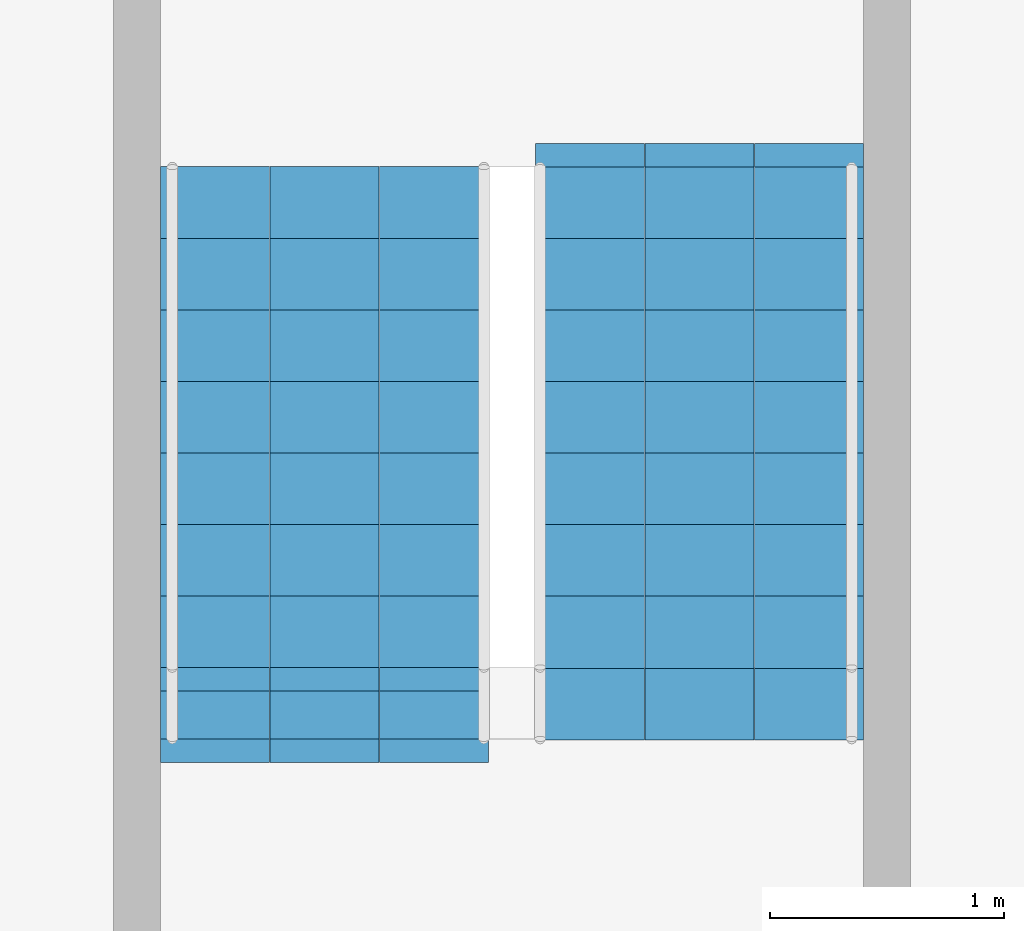
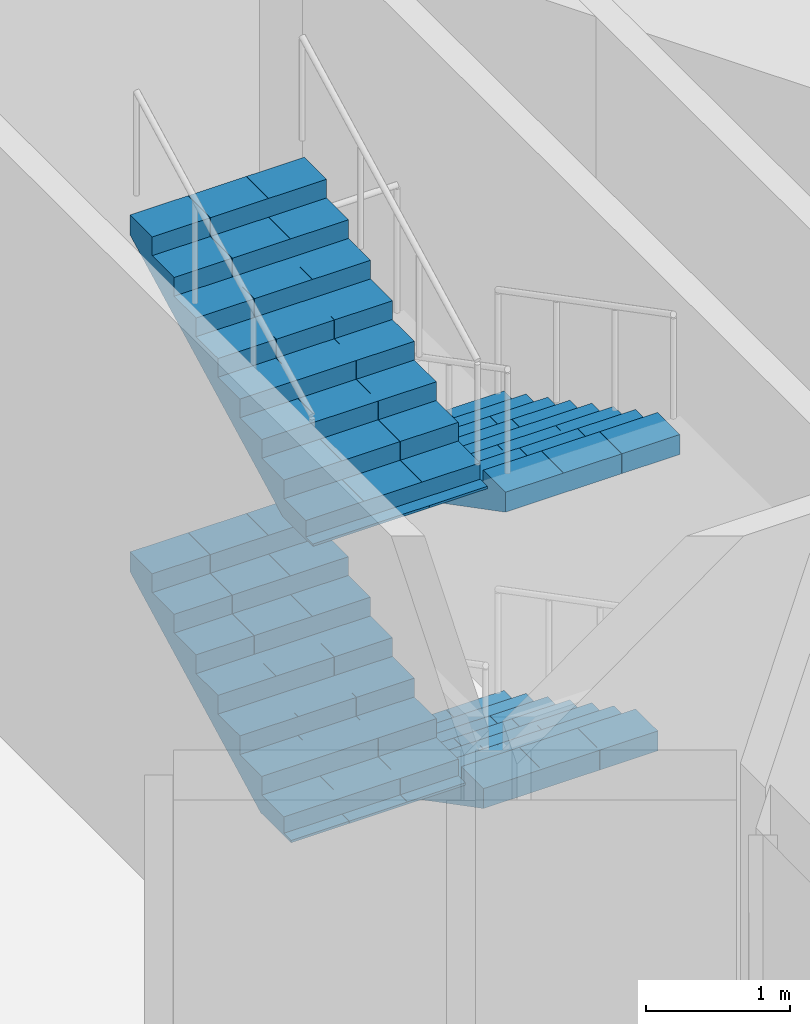
# One storey, part 29 of 32: 4 stair flights, 1 element without a shape of its own.
"""IFC4 building model written with IfcOpenShell, lengths in metres."""

from ifc_helpers import new_model, si_unit, direction, frame, origin, place, context, subcontext, project, spatial, polyline, outline, extrude, material, type_object, element, aggregate, save


model = new_model("IFC4")

# Units and contexts
model_context = context("Model", 3, precision=1e-05, world=origin(), true_north=direction((0.0, 1.0)))
body_context = subcontext(model_context, "Body", "Model", "MODEL_VIEW")
ifc_project = project(units=[si_unit("LENGTHUNIT", "METRE"), si_unit("AREAUNIT", "SQUARE_METRE"), si_unit("VOLUMEUNIT", "CUBIC_METRE"), si_unit("PLANEANGLEUNIT", "RADIAN"), si_unit("MASSUNIT", "GRAM", prefix="KILO")], contexts=[model_context])

# Site, building, storey
site_placement = place(None, origin())
site = spatial("IfcSite", under=ifc_project, at=site_placement, CompositionType="ELEMENT")
building_placement = place(site_placement, origin())
building = spatial("IfcBuilding", under=site, at=building_placement, Name="Triada Interchange Tower", CompositionType="ELEMENT")
storey_placement = place(building_placement, frame((0.0, 0.0, 14.5)))
storey = spatial("IfcBuildingStorey", under=building, at=storey_placement, Name="L02", CompositionType="ELEMENT", Elevation=14.5)

# Stair, stair flights
ifc_material = material(Name="Concrete C35/45", Category="concrete")
stair_type = type_object("IfcStairType", Name="HALF TURN STAIR 1400", PredefinedType="HALF_TURN_STAIR", material=ifc_material)
stair_placement = place(storey_placement, origin())
stair = element("IfcStair", 1, at=stair_placement, inside=storey, type_object=stair_type, Name="Exit stair S02-1", PredefinedType="HALF_TURN_STAIR")
stair_flight_type = type_object("IfcStairFlightType", Name="STRAIGHT STAIR FLIGHT 1400", PredefinedType="STRAIGHT", material=ifc_material)
stair_flight_1_placement = place(storey_placement, frame((0.800048828125, 11.60009765625, 0.0), z_axis=(0.0, 0.0, 1.0), x_axis=(0.0, -1.0, 0.0)))
stair_flight_1 = element("IfcStairFlight", 2, at=stair_flight_1_placement, type_object=stair_flight_type, Name="S02-1 flight 1", NumberOfRisers=8, NumberOfTreads=7, PredefinedType="STRAIGHT", RiserHeight=0.15882, TreadLength=0.305, context=body_context, shape_type="SweptSolid", body=[
    extrude(outline(polyline([(-0.10009765625, 0.0), (-0.10009765625, 0.02001953125), (0.0, 0.02001953125), (0.0, 0.158935546875), (0.304931640625, 0.158935546875), (0.304931640625, 0.317626953125), (0.610107421875, 0.317626953125), (0.610107421875, 0.4765625), (0.9150390625, 0.4765625), (0.9150390625, 0.63525390625), (1.219970703125, 0.63525390625), (1.219970703125, 0.794189453125), (1.52490234375, 0.794189453125), (1.52490234375, 0.952880859375), (1.830078125, 0.952880859375), (1.830078125, 1.11181640625), (2.135009765625, 1.11181640625), (2.138916015625, 1.11181640625), (2.138916015625, 1.2705078125), (2.138916015625, 0.942626953125), (0.324462890625, 0.0), (-0.10009765625, 0.0)])), frame((0.0, 0.699951171875, 0.0), z_axis=(0.0, -1.0, 0.0), x_axis=(1.0, 0.0, 0.0)), (0.0, 0.0, 1.0), 0.46533203125),
    extrude(outline(polyline([(-0.10009765625, 0.0), (-0.10009765625, 0.02001953125), (0.0, 0.02001953125), (0.0, 0.158935546875), (0.304931640625, 0.158935546875), (0.304931640625, 0.317626953125), (0.610107421875, 0.317626953125), (0.610107421875, 0.4765625), (0.9150390625, 0.4765625), (0.9150390625, 0.63525390625), (1.219970703125, 0.63525390625), (1.219970703125, 0.794189453125), (1.52490234375, 0.794189453125), (1.52490234375, 0.952880859375), (1.830078125, 0.952880859375), (1.830078125, 1.11181640625), (2.135009765625, 1.11181640625), (2.138916015625, 1.11181640625), (2.138916015625, 1.2705078125), (2.138916015625, 0.942626953125), (0.324462890625, 0.0), (-0.10009765625, 0.0)])), frame((0.0, 0.232666015625, 0.0), z_axis=(0.0, -1.0, 0.0), x_axis=(1.0, 0.0, 0.0)), (0.0, 0.0, 1.0), 0.46533203125),
    extrude(outline(polyline([(-0.10009765625, 0.0), (-0.10009765625, 0.02001953125), (0.0, 0.02001953125), (0.0, 0.158935546875), (0.304931640625, 0.158935546875), (0.304931640625, 0.317626953125), (0.610107421875, 0.317626953125), (0.610107421875, 0.4765625), (0.9150390625, 0.4765625), (0.9150390625, 0.63525390625), (1.219970703125, 0.63525390625), (1.219970703125, 0.794189453125), (1.52490234375, 0.794189453125), (1.52490234375, 0.952880859375), (1.830078125, 0.952880859375), (1.830078125, 1.11181640625), (2.135009765625, 1.11181640625), (2.138916015625, 1.11181640625), (2.138916015625, 1.2705078125), (2.138916015625, 0.942626953125), (0.324462890625, 0.0), (-0.10009765625, 0.0)])), frame((0.0, -0.234619140625, 0.0), z_axis=(0.0, -1.0, 0.0), x_axis=(1.0, 0.0, 0.0)), (0.0, 0.0, 1.0), 0.46533203125),
])
stair_flight_2_placement = place(storey_placement, frame((-0.800048828125, 9.465087890625, 1.2705078125), z_axis=(0.0, 0.0, 1.0), x_axis=(0.0, 1.0, 0.0)))
stair_flight_2 = element("IfcStairFlight", 3, at=stair_flight_2_placement, type_object=stair_flight_type, Name="S02-1 flight 2", NumberOfRisers=8, NumberOfTreads=7, PredefinedType="STRAIGHT", RiserHeight=0.15882, TreadLength=0.305, context=body_context, shape_type="SweptSolid", body=[
    extrude(outline(polyline([(-0.10009765625, 0.0), (-0.10009765625, 0.02001953125), (0.0, 0.02001953125), (0.0, 0.158935546875), (0.304931640625, 0.158935546875), (0.304931640625, 0.317626953125), (0.610107421875, 0.317626953125), (0.610107421875, 0.4765625), (0.9150390625, 0.4765625), (0.9150390625, 0.63525390625), (1.219970703125, 0.63525390625), (1.219970703125, 0.794189453125), (1.52490234375, 0.794189453125), (1.52490234375, 0.952880859375), (1.830078125, 0.952880859375), (1.830078125, 1.11181640625), (2.135009765625, 1.11181640625), (2.138916015625, 1.11181640625), (2.138916015625, 1.2705078125), (2.138916015625, 0.942626953125), (0.324462890625, 0.0), (-0.10009765625, 0.0)])), frame((0.0, 0.699951171875, 0.0), z_axis=(0.0, -1.0, 0.0), x_axis=(1.0, 0.0, 0.0)), (0.0, 0.0, 1.0), 0.46533203125),
    extrude(outline(polyline([(-0.10009765625, 0.0), (-0.10009765625, 0.02001953125), (0.0, 0.02001953125), (0.0, 0.158935546875), (0.304931640625, 0.158935546875), (0.304931640625, 0.317626953125), (0.610107421875, 0.317626953125), (0.610107421875, 0.4765625), (0.9150390625, 0.4765625), (0.9150390625, 0.63525390625), (1.219970703125, 0.63525390625), (1.219970703125, 0.794189453125), (1.52490234375, 0.794189453125), (1.52490234375, 0.952880859375), (1.830078125, 0.952880859375), (1.830078125, 1.11181640625), (2.135009765625, 1.11181640625), (2.138916015625, 1.11181640625), (2.138916015625, 1.2705078125), (2.138916015625, 0.942626953125), (0.324462890625, 0.0), (-0.10009765625, 0.0)])), frame((0.0, 0.232666015625, 0.0), z_axis=(0.0, -1.0, 0.0), x_axis=(1.0, 0.0, 0.0)), (0.0, 0.0, 1.0), 0.46533203125),
    extrude(outline(polyline([(-0.10009765625, 0.0), (-0.10009765625, 0.02001953125), (0.0, 0.02001953125), (0.0, 0.158935546875), (0.304931640625, 0.158935546875), (0.304931640625, 0.317626953125), (0.610107421875, 0.317626953125), (0.610107421875, 0.4765625), (0.9150390625, 0.4765625), (0.9150390625, 0.63525390625), (1.219970703125, 0.63525390625), (1.219970703125, 0.794189453125), (1.52490234375, 0.794189453125), (1.52490234375, 0.952880859375), (1.830078125, 0.952880859375), (1.830078125, 1.11181640625), (2.135009765625, 1.11181640625), (2.138916015625, 1.11181640625), (2.138916015625, 1.2705078125), (2.138916015625, 0.942626953125), (0.324462890625, 0.0), (-0.10009765625, 0.0)])), frame((0.0, -0.234619140625, 0.0), z_axis=(0.0, -1.0, 0.0), x_axis=(1.0, 0.0, 0.0)), (0.0, 0.0, 1.0), 0.46533203125),
])
stair_flight_3_placement = place(storey_placement, frame((0.800048828125, 11.60009765625, 2.541015625), z_axis=(0.0, 0.0, 1.0), x_axis=(0.0, -1.0, 0.0)))
stair_flight_3 = element("IfcStairFlight", 4, at=stair_flight_3_placement, type_object=stair_flight_type, Name="S02-1 flight 3", NumberOfRisers=9, NumberOfTreads=8, PredefinedType="STRAIGHT", RiserHeight=0.15882, TreadLength=0.305, context=body_context, shape_type="SweptSolid", body=[
    extrude(outline(polyline([(-0.10009765625, 0.0), (-0.10009765625, 0.02001953125), (0.0, 0.02001953125), (0.0, 0.158935546875), (0.304931640625, 0.158935546875), (0.304931640625, 0.317626953125), (0.610107421875, 0.317626953125), (0.610107421875, 0.4765625), (0.9150390625, 0.4765625), (0.9150390625, 0.63525390625), (1.219970703125, 0.63525390625), (1.219970703125, 0.794189453125), (1.52490234375, 0.794189453125), (1.52490234375, 0.952880859375), (1.830078125, 0.952880859375), (1.830078125, 1.11181640625), (2.135009765625, 1.11181640625), (2.135009765625, 1.2705078125), (2.43994140625, 1.2705078125), (2.444091796875, 1.2705078125), (2.444091796875, 1.429443359375), (2.444091796875, 1.1015625), (0.324462890625, 0.0), (-0.10009765625, 0.0)])), frame((0.0, 0.699951171875, 0.0), z_axis=(0.0, -1.0, 0.0), x_axis=(1.0, 0.0, 0.0)), (0.0, 0.0, 1.0), 0.46533203125),
    extrude(outline(polyline([(-0.10009765625, 0.0), (-0.10009765625, 0.02001953125), (0.0, 0.02001953125), (0.0, 0.158935546875), (0.304931640625, 0.158935546875), (0.304931640625, 0.317626953125), (0.610107421875, 0.317626953125), (0.610107421875, 0.4765625), (0.9150390625, 0.4765625), (0.9150390625, 0.63525390625), (1.219970703125, 0.63525390625), (1.219970703125, 0.794189453125), (1.52490234375, 0.794189453125), (1.52490234375, 0.952880859375), (1.830078125, 0.952880859375), (1.830078125, 1.11181640625), (2.135009765625, 1.11181640625), (2.135009765625, 1.2705078125), (2.43994140625, 1.2705078125), (2.444091796875, 1.2705078125), (2.444091796875, 1.429443359375), (2.444091796875, 1.1015625), (0.324462890625, 0.0), (-0.10009765625, 0.0)])), frame((0.0, 0.232666015625, 0.0), z_axis=(0.0, -1.0, 0.0), x_axis=(1.0, 0.0, 0.0)), (0.0, 0.0, 1.0), 0.46533203125),
    extrude(outline(polyline([(-0.10009765625, 0.0), (-0.10009765625, 0.02001953125), (0.0, 0.02001953125), (0.0, 0.158935546875), (0.304931640625, 0.158935546875), (0.304931640625, 0.317626953125), (0.610107421875, 0.317626953125), (0.610107421875, 0.4765625), (0.9150390625, 0.4765625), (0.9150390625, 0.63525390625), (1.219970703125, 0.63525390625), (1.219970703125, 0.794189453125), (1.52490234375, 0.794189453125), (1.52490234375, 0.952880859375), (1.830078125, 0.952880859375), (1.830078125, 1.11181640625), (2.135009765625, 1.11181640625), (2.135009765625, 1.2705078125), (2.43994140625, 1.2705078125), (2.444091796875, 1.2705078125), (2.444091796875, 1.429443359375), (2.444091796875, 1.1015625), (0.324462890625, 0.0), (-0.10009765625, 0.0)])), frame((0.0, -0.234619140625, 0.0), z_axis=(0.0, -1.0, 0.0), x_axis=(1.0, 0.0, 0.0)), (0.0, 0.0, 1.0), 0.46533203125),
])
stair_flight_4_placement = place(storey_placement, frame((-0.800048828125, 9.159912109375, 3.970458984375), z_axis=(0.0, 0.0, 1.0), x_axis=(0.0, 1.0, 0.0)))
stair_flight_4 = element("IfcStairFlight", 5, at=stair_flight_4_placement, type_object=stair_flight_type, Name="S02-1 flight 4", NumberOfRisers=9, NumberOfTreads=8, PredefinedType="STRAIGHT", RiserHeight=0.15882, TreadLength=0.305, context=body_context, shape_type="SweptSolid", body=[
    extrude(outline(polyline([(-0.10009765625, 0.0), (-0.10009765625, 0.02001953125), (0.0, 0.02001953125), (0.0, 0.158935546875), (0.304931640625, 0.158935546875), (0.304931640625, 0.317626953125), (0.610107421875, 0.317626953125), (0.610107421875, 0.4765625), (0.9150390625, 0.4765625), (0.9150390625, 0.63525390625), (1.219970703125, 0.63525390625), (1.219970703125, 0.794189453125), (1.52490234375, 0.794189453125), (1.52490234375, 0.952880859375), (1.830078125, 0.952880859375), (1.830078125, 1.11181640625), (2.135009765625, 1.11181640625), (2.135009765625, 1.2705078125), (2.43994140625, 1.2705078125), (2.444091796875, 1.2705078125), (2.444091796875, 1.429443359375), (2.444091796875, 1.1015625), (0.324462890625, 0.0), (-0.10009765625, 0.0)])), frame((0.0, 0.699951171875, 0.0), z_axis=(0.0, -1.0, 0.0), x_axis=(1.0, 0.0, 0.0)), (0.0, 0.0, 1.0), 0.46533203125),
    extrude(outline(polyline([(-0.10009765625, 0.0), (-0.10009765625, 0.02001953125), (0.0, 0.02001953125), (0.0, 0.158935546875), (0.304931640625, 0.158935546875), (0.304931640625, 0.317626953125), (0.610107421875, 0.317626953125), (0.610107421875, 0.4765625), (0.9150390625, 0.4765625), (0.9150390625, 0.63525390625), (1.219970703125, 0.63525390625), (1.219970703125, 0.794189453125), (1.52490234375, 0.794189453125), (1.52490234375, 0.952880859375), (1.830078125, 0.952880859375), (1.830078125, 1.11181640625), (2.135009765625, 1.11181640625), (2.135009765625, 1.2705078125), (2.43994140625, 1.2705078125), (2.444091796875, 1.2705078125), (2.444091796875, 1.429443359375), (2.444091796875, 1.1015625), (0.324462890625, 0.0), (-0.10009765625, 0.0)])), frame((0.0, 0.232666015625, 0.0), z_axis=(0.0, -1.0, 0.0), x_axis=(1.0, 0.0, 0.0)), (0.0, 0.0, 1.0), 0.46533203125),
    extrude(outline(polyline([(-0.10009765625, 0.0), (-0.10009765625, 0.02001953125), (0.0, 0.02001953125), (0.0, 0.158935546875), (0.304931640625, 0.158935546875), (0.304931640625, 0.317626953125), (0.610107421875, 0.317626953125), (0.610107421875, 0.4765625), (0.9150390625, 0.4765625), (0.9150390625, 0.63525390625), (1.219970703125, 0.63525390625), (1.219970703125, 0.794189453125), (1.52490234375, 0.794189453125), (1.52490234375, 0.952880859375), (1.830078125, 0.952880859375), (1.830078125, 1.11181640625), (2.135009765625, 1.11181640625), (2.135009765625, 1.2705078125), (2.43994140625, 1.2705078125), (2.444091796875, 1.2705078125), (2.444091796875, 1.429443359375), (2.444091796875, 1.1015625), (0.324462890625, 0.0), (-0.10009765625, 0.0)])), frame((0.0, -0.234619140625, 0.0), z_axis=(0.0, -1.0, 0.0), x_axis=(1.0, 0.0, 0.0)), (0.0, 0.0, 1.0), 0.46533203125),
])
aggregate(stair, [stair_flight_1, stair_flight_2, stair_flight_3, stair_flight_4])

save(model, "model.ifc")
